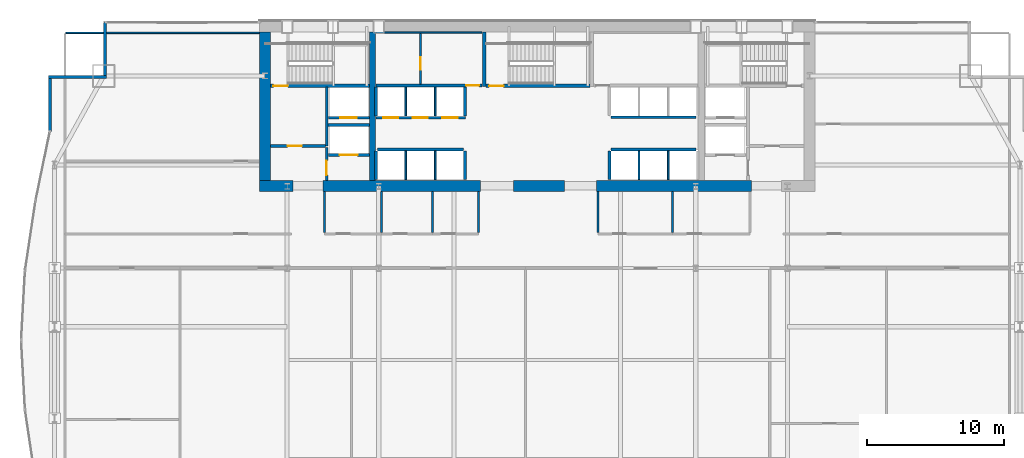
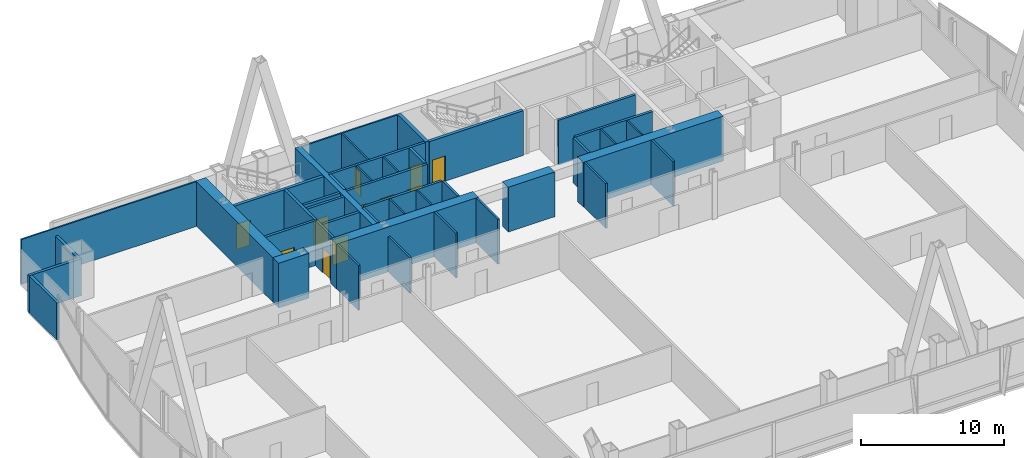
# One storey, part 32 of 36: 43 walls, 11 doors, 11 openings.
"""IFC4 building model written with IfcOpenShell, lengths in metres."""

from ifc_helpers import new_model, si_unit, direction, frame, frame_2d, origin, place, context, subcontext, project, spatial, rectangle, extrude, material, layer, layer_set, type_object, element, fill, save


model = new_model("IFC4")

# Units and contexts
model_context = context("Model", 3, precision=1e-05, world=origin(), true_north=direction((0.0, 1.0)))
body_context = subcontext(model_context, "Body", "Model", "MODEL_VIEW")
ifc_project = project(units=[si_unit("LENGTHUNIT", "METRE"), si_unit("AREAUNIT", "SQUARE_METRE"), si_unit("VOLUMEUNIT", "CUBIC_METRE"), si_unit("PLANEANGLEUNIT", "RADIAN"), si_unit("MASSUNIT", "GRAM", prefix="KILO")], contexts=[model_context])

# Site, building, storey
site_placement = place(None, origin())
site = spatial("IfcSite", under=ifc_project, at=site_placement, CompositionType="ELEMENT")
building_placement = place(site_placement, origin())
building = spatial("IfcBuilding", under=site, at=building_placement, Name="Khoronbel Lancet Exchange", CompositionType="ELEMENT")
storey_placement = place(building_placement, frame((0.0, 0.0, 49.800048828125)))
storey = spatial("IfcBuildingStorey", under=building, at=storey_placement, Name="L11", CompositionType="ELEMENT", Elevation=49.800048828125)

# Walls
ifc_material_1 = material(Name="Concrete C80/95", Category="concrete")
ifc_layer_1 = layer(ifc_material_1, 0.800048828125, Name="Concrete C80/95")
ifc_layer_set_1 = layer_set([ifc_layer_1], Name="Concrete C80/95")
wall_type_1 = type_object("IfcWallType", Name="WL-CW1", PredefinedType="SHEAR", material=ifc_layer_set_1)
wall_1_placement = place(storey_placement, frame((16.60009765625, 42.10009765625, 0.0), z_axis=(0.0, 0.0, 1.0), x_axis=(0.0, 1.0, 0.0)))
element("IfcWall", 1, at=wall_1_placement, inside=storey, type_object=wall_type_1, Name="Level L11 rear core west shear wall", PredefinedType="SHEAR", context=body_context, shape_type="SweptSolid", body=[
    extrude(rectangle(XDim=10.7998046875, YDim=0.800048828125, at=frame_2d((5.39990234375, 0.0))), origin(), (0.0, 0.0, 1.0), 3.820068359375),
])
wall_2_placement = place(storey_placement, frame((18.64990234375, 41.699951171875, 0.0), z_axis=(0.0, 0.0, 1.0), x_axis=(-1.0, 0.0, 0.0)))
element("IfcWall", 2, at=wall_2_placement, inside=storey, type_object=wall_type_1, Name="Level L11 rear core south shear wall pier P1", PredefinedType="SHEAR", context=body_context, shape_type="SweptSolid", body=[
    extrude(rectangle(XDim=2.449951171875, YDim=0.800048828125, at=frame_2d((1.22509765625, 0.0))), origin(), (0.0, 0.0, 1.0), 3.820068359375),
])
wall_3_placement = place(storey_placement, frame((32.300048828125, 41.699951171875, 0.0), z_axis=(0.0, 0.0, 1.0), x_axis=(-1.0, 0.0, 0.0)))
element("IfcWall", 3, at=wall_3_placement, inside=storey, type_object=wall_type_1, Name="Level L11 rear core south shear wall pier P2", PredefinedType="SHEAR", context=body_context, shape_type="SweptSolid", body=[
    extrude(rectangle(XDim=11.449951171875, YDim=0.800048828125, at=frame_2d((5.72509765625, 0.0))), origin(), (0.0, 0.0, 1.0), 3.820068359375),
])
wall_4_placement = place(storey_placement, frame((38.449951171875, 41.699951171875, 0.0), z_axis=(0.0, 0.0, 1.0), x_axis=(-1.0, 0.0, 0.0)))
element("IfcWall", 4, at=wall_4_placement, inside=storey, type_object=wall_type_1, Name="Level L11 rear core south shear wall pier P3", PredefinedType="SHEAR", context=body_context, shape_type="SweptSolid", body=[
    extrude(rectangle(XDim=3.75, YDim=0.800048828125, at=frame_2d((1.875, 0.0))), origin(), (0.0, 0.0, 1.0), 3.820068359375),
])
wall_5_placement = place(storey_placement, frame((52.050048828125, 41.699951171875, 0.0), z_axis=(0.0, 0.0, 1.0), x_axis=(-1.0, 0.0, 0.0)))
element("IfcWall", 5, at=wall_5_placement, inside=storey, type_object=wall_type_1, Name="Level L11 rear core south shear wall pier P4", PredefinedType="SHEAR", context=body_context, shape_type="SweptSolid", body=[
    extrude(rectangle(XDim=11.300048828125, YDim=0.800048828125, at=frame_2d((5.64990234375, 0.0))), origin(), (0.0, 0.0, 1.0), 3.820068359375),
])
ifc_material_2 = material(Name="Precast concrete C40/50", Category="concrete")
ifc_layer_2 = layer(ifc_material_2, 0.25, Name="Precast concrete C40/50")
ifc_layer_set_2 = layer_set([ifc_layer_2], Name="Precast concrete C40/50")
wall_type_2 = type_object("IfcWallType", Name="WL-EXT250", PredefinedType="SOLIDWALL", material=ifc_layer_set_2)
wall_6_placement = place(storey_placement, frame((0.93994140625, 45.6708984375, 0.0), z_axis=(0.0, 0.0, 1.0), x_axis=(0.0, 1.0, 0.0)))
element("IfcWall", 6, at=wall_6_placement, inside=storey, type_object=wall_type_2, Name="Level L11 notched-corner limestone pier 10", PredefinedType="SOLIDWALL", context=body_context, shape_type="SweptSolid", body=[
    extrude(rectangle(XDim=3.8291015625, YDim=0.219970703125, at=frame_2d((1.91455078125, 0.0))), origin(), (0.0, 0.0, 1.0), 3.159912109375),
])
wall_7_placement = place(storey_placement, frame((0.830078125, 49.610107421875, 0.0), z_axis=(0.0, 0.0, 1.0), x_axis=(1.0, 0.0, 0.0)))
element("IfcWall", 7, at=wall_7_placement, inside=storey, type_object=wall_type_2, Name="Level L11 notched-corner limestone pier 11", PredefinedType="SOLIDWALL", context=body_context, shape_type="SweptSolid", body=[
    extrude(rectangle(XDim=4.219970703125, YDim=0.219970703125, at=frame_2d((2.10986328125, 0.0))), origin(), (0.0, 0.0, 1.0), 3.159912109375),
])
wall_8_placement = place(storey_placement, frame((4.93994140625, 49.719970703125, 0.0), z_axis=(0.0, 0.0, 1.0), x_axis=(0.0, 1.0, 0.0)))
element("IfcWall", 8, at=wall_8_placement, inside=storey, type_object=wall_type_2, Name="Level L11 notched-corner limestone pier 12", PredefinedType="SOLIDWALL", context=body_context, shape_type="SweptSolid", body=[
    extrude(rectangle(XDim=3.909912109375, YDim=0.219970703125, at=frame_2d((1.955078125, 0.0))), origin(), (0.0, 0.0, 1.0), 3.159912109375),
])
ifc_material_3 = material(Name="Acoustic Metal-Stud & Mineral-Wool Gypsum Partition 120 mm", Category="gypsum")
ifc_layer_3 = layer(ifc_material_3, 0.1201171875, Name="Acoustic Metal-Stud & Mineral-Wool Gypsum Partition 120 mm")
ifc_layer_set_3 = layer_set([ifc_layer_3], Name="Acoustic Metal-Stud & Mineral-Wool Gypsum Partition 120 mm")
wall_type_3 = type_object("IfcWallType", Name="WL-PRT120", PredefinedType="PARTITIONING", material=ifc_layer_set_3)
wall_9_placement = place(storey_placement, frame((20.949951171875, 38.280029296875, 0.0), z_axis=(0.0, 0.0, 1.0), x_axis=(0.0, 1.0, 0.0)))
element("IfcWall", 9, at=wall_9_placement, inside=storey, type_object=wall_type_3, Name="Level L11 interior partition PW-WC-0", PredefinedType="PARTITIONING", context=body_context, shape_type="SweptSolid", body=[
    extrude(rectangle(XDim=3.02001953125, YDim=0.14990234375, at=frame_2d((1.510009765625, 0.0))), origin(), (0.0, 0.0, 1.0), 3.820068359375),
])
wall_10_placement = place(storey_placement, frame((25.10009765625, 38.280029296875, 0.0), z_axis=(0.0, 0.0, 1.0), x_axis=(0.0, 1.0, 0.0)))
element("IfcWall", 10, at=wall_10_placement, inside=storey, type_object=wall_type_3, Name="Level L11 interior partition PW-WC-1", PredefinedType="PARTITIONING", context=body_context, shape_type="SweptSolid", body=[
    extrude(rectangle(XDim=3.02001953125, YDim=0.14990234375, at=frame_2d((1.510009765625, 0.0))), origin(), (0.0, 0.0, 1.0), 3.010009765625),
])
for number, where, z_axis, x_axis, name in (
    (11, (28.800048828125, 38.280029296875, 0.0), (0.0, 0.0, 1.0), (0.0, 1.0, 0.0), "Level L11 interior partition PW-WC-2"),
    (12, (32.179931640625, 38.280029296875, 0.0), (0.0, 0.0, 1.0), (0.0, 1.0, 0.0), "Level L11 interior partition PW-WC-3"),
    (13, (40.8798828125, 38.280029296875, 0.0), (0.0, 0.0, 1.0), (0.0, 1.0, 0.0), "Level L11 interior partition PW-NP-0"),
    (14, (46.300048828125, 38.280029296875, 0.0), (0.0, 0.0, 1.0), (0.0, 1.0, 0.0), "Level L11 interior partition PW-NP-M"),
):
    element("IfcWall", number, at=place(storey_placement, frame(where, z_axis=z_axis, x_axis=x_axis)), inside=storey, type_object=wall_type_3, Name=name, PredefinedType="PARTITIONING", context=body_context, shape_type="SweptSolid", body=[
        extrude(rectangle(XDim=3.02001953125, YDim=0.14990234375, at=frame_2d((1.510009765625, 0.0))), origin(), (0.0, 0.0, 1.0), 3.820068359375),
    ])
wall_11_placement = place(storey_placement, frame((2.094970703125, 52.840087890625, 0.0), z_axis=(0.0, 0.0, 1.0), x_axis=(1.0, 0.0, 0.0)))
element("IfcWall", 15, at=wall_11_placement, inside=storey, type_object=wall_type_3, Name="Level L11 interior partition PW-LIN-NW", PredefinedType="PARTITIONING", context=body_context, shape_type="SweptSolid", body=[
    extrude(rectangle(XDim=14.10498046875, YDim=0.1201171875, at=frame_2d((7.052490234375, 0.0))), origin(), (0.0, 0.0, 1.0), 3.820068359375),
])
ifc_material_4 = material(Name="Fire-Rated Metal-Stud & Mineral-Wool Gypsum Partition 120 mm", Category="gypsum")
ifc_layer_4 = layer(ifc_material_4, 0.1201171875, Name="Fire-Rated Metal-Stud & Mineral-Wool Gypsum Partition 120 mm")
ifc_layer_set_4 = layer_set([ifc_layer_4], Name="Fire-Rated Metal-Stud & Mineral-Wool Gypsum Partition 120 mm")
wall_type_4 = type_object("IfcWallType", Name="WL-PRT120F", PredefinedType="PARTITIONING", material=ifc_layer_set_4)
for number, where, z_axis, x_axis, name in (
    (16, (26.860107421875, 46.800048828125, 0.0), (0.0, 0.0, 1.0), (0.0, 1.0, 0.0), "Level L11 interior partition CW-PL-D1"),
    (17, (29.02001953125, 46.800048828125, 0.0), (0.0, 0.0, 1.0), (0.0, 1.0, 0.0), "Level L11 interior partition CW-PL-D2"),
):
    element("IfcWall", number, at=place(storey_placement, frame(where, z_axis=z_axis, x_axis=x_axis)), inside=storey, type_object=wall_type_4, Name=name, PredefinedType="PARTITIONING", context=body_context, shape_type="SweptSolid", body=[
        extrude(rectangle(XDim=2.094970703125, YDim=0.1201171875, at=frame_2d((1.04736328125, 0.0))), origin(), (0.0, 0.0, 1.0), 3.820068359375),
    ])
for number, where, z_axis, x_axis, name in (
    (18, (26.860107421875, 42.14990234375, 0.0), (0.0, 0.0, 1.0), (0.0, 1.0, 0.0), "Level L11 interior partition CW-PM-D1"),
    (19, (29.02001953125, 42.14990234375, 0.0), (0.0, 0.0, 1.0), (0.0, 1.0, 0.0), "Level L11 interior partition CW-PM-D2"),
    (20, (43.860107421875, 42.14990234375, 0.0), (0.0, 0.0, 1.0), (0.0, 1.0, 0.0), "Level L11 interior partition CW-PX-D1"),
    (21, (46.0, 42.14990234375, 0.0), (0.0, 0.0, 1.0), (0.0, 1.0, 0.0), "Level L11 interior partition CW-PX-D2"),
):
    element("IfcWall", number, at=place(storey_placement, frame(where, z_axis=z_axis, x_axis=x_axis)), inside=storey, type_object=wall_type_4, Name=name, PredefinedType="PARTITIONING", context=body_context, shape_type="SweptSolid", body=[
        extrude(rectangle(XDim=2.09521484375, YDim=0.1201171875, at=frame_2d((1.047607421875, 0.0))), origin(), (0.0, 0.0, 1.0), 3.820068359375),
    ])
wall_12_placement = place(storey_placement, frame((24.699951171875, 52.860107421875, 0.0), z_axis=(0.0, 0.0, 1.0), x_axis=(1.0, 0.0, 0.0)))
element("IfcWall", 22, at=wall_12_placement, inside=storey, type_object=wall_type_4, Name="Level L11 interior partition CW-SUP-NW-N", PredefinedType="PARTITIONING", context=body_context, shape_type="SweptSolid", body=[
    extrude(rectangle(XDim=7.719970703125, YDim=0.1201171875, at=frame_2d((3.85986328125, 0.0))), origin(), (0.0, 0.0, 1.0), 3.820068359375),
])

# Wall, opening, door
wall_13_placement = place(storey_placement, frame((27.9423828125, 49.10498046875, 0.0), z_axis=(0.0, 0.0, 1.0), x_axis=(0.0, 1.0, 0.0)))
wall_13 = element("IfcWall", 23, at=wall_13_placement, inside=storey, type_object=wall_type_4, Name="Level L11 interior partition CW-SUP-NW-M", PredefinedType="PARTITIONING", context=body_context, shape_type="SweptSolid", body=[
    extrude(rectangle(XDim=3.68994140625, YDim=0.1201171875, at=frame_2d((1.844970703125, 0.0))), origin(), (0.0, 0.0, 1.0), 3.820068359375),
])
opening_1_placement = place(wall_13_placement, frame((1.050048828125, 0.0, 0.0)))
opening_1 = element("IfcOpeningElement", 24, at=opening_1_placement, cuts=wall_13, Name="Opening FD4", PredefinedType="OPENING", context=body_context, shape_type="SweptSolid", body=[
    extrude(rectangle(XDim=0.89990234375, YDim=2.050048828125, at=frame_2d((0.449951171875, 1.02490234375))), frame((0.0, 0.070068359375, 0.0), z_axis=(0.0, -1.0, 0.0), x_axis=(1.0, 0.0, 0.0)), (0.0, 0.0, 1.0), 0.14013671875),
])
ifc_material_5 = material(Name="Fire-Rated Steel Core Support Door Assembly", Category="steel")
door_type_1 = type_object("IfcDoorType", Name="DR-FD4", OperationType="NOTDEFINED", PredefinedType="DOOR", material=ifc_material_5)
door_1_placement = place(opening_1_placement, origin())
door_1 = element("IfcDoor", 25, at=door_1_placement, inside=storey, type_object=door_type_1, Name="Core NW inner support door L11-1", OperationType="SINGLE_SWING_RIGHT", OverallHeight=2.050048828125, OverallWidth=0.89990234375, PredefinedType="DOOR", context=body_context, shape_type="SweptSolid", body=[
    extrude(rectangle(XDim=0.89990234375, YDim=2.050048828125, at=frame_2d((0.449951171875, 1.02490234375))), frame((0.0, 0.02490234375, 0.0), z_axis=(0.0, -1.0, 0.0), x_axis=(1.0, 0.0, 0.0)), (0.0, 0.0, 1.0), 0.050048828125),
])
fill(opening_1, door_1)

ifc_material_6 = material(Name="Autoclaved Aerated Concrete Blockwork 200 mm", Category="masonry")
ifc_layer_5 = layer(ifc_material_6, 0.199951171875, Name="Autoclaved Aerated Concrete Blockwork 200 mm")
ifc_layer_set_5 = layer_set([ifc_layer_5], Name="Autoclaved Aerated Concrete Blockwork 200 mm")
wall_type_5 = type_object("IfcWallType", Name="WL-PRT200", PredefinedType="PARTITIONING", material=ifc_layer_set_5)
wall_14_placement = place(storey_placement, frame((24.2099609375, 43.949951171875, 0.0), z_axis=(0.0, 0.0, 1.0), x_axis=(-1.0, 0.0, 0.0)))
wall_14 = element("IfcWall", 26, at=wall_14_placement, inside=storey, type_object=wall_type_5, Name="Level L11 elevator hoistway landing front wall SVLW", PredefinedType="PARTITIONING", context=body_context, shape_type="SweptSolid", body=[
    extrude(rectangle(XDim=2.969970703125, YDim=0.199951171875, at=frame_2d((1.48486328125, 0.0))), origin(), (0.0, 0.0, 1.0), 3.820068359375),
])
opening_2_placement = place(wall_14_placement, frame((0.860107421875, 0.0, 0.0)))
opening_2 = element("IfcOpeningElement", 27, at=opening_2_placement, cuts=wall_14, Name="Opening LD-SVL1", PredefinedType="OPENING", context=body_context, shape_type="SweptSolid", body=[
    extrude(rectangle(XDim=1.300048828125, YDim=2.179931640625, at=frame_2d((0.64990234375, 1.08984375))), frame((0.0, 0.10986328125, 0.0), z_axis=(0.0, -1.0, 0.0), x_axis=(1.0, 0.0, 0.0)), (0.0, 0.0, 1.0), 0.219970703125),
])
ifc_material_7 = material(Name="Heavy-Duty Bi-Parting Goods Lift Landing Door", Category="steel")
door_type_2 = type_object("IfcDoorType", Name="DR-LD-SVL", OperationType="NOTDEFINED", PredefinedType="DOOR", material=ifc_material_7)
door_2_placement = place(opening_2_placement, origin())
door_2 = element("IfcDoor", 28, at=door_2_placement, inside=storey, type_object=door_type_2, Name="Elevator landing sliding door LD-SVL1 L11", OperationType="SLIDING_TO_LEFT", OverallHeight=2.179931640625, OverallWidth=1.300048828125, PredefinedType="DOOR", context=body_context, shape_type="SweptSolid", body=[
    extrude(rectangle(XDim=1.300048828125, YDim=2.179931640625, at=frame_2d((0.64990234375, 1.08984375))), frame((0.0, 0.02490234375, 0.0), z_axis=(0.0, -1.0, 0.0), x_axis=(1.0, 0.0, 0.0)), (0.0, 0.0, 1.0), 0.050048828125),
])
fill(opening_2, door_2)

wall_15_placement = place(storey_placement, frame((24.2099609375, 46.64990234375, 0.0), z_axis=(0.0, 0.0, 1.0), x_axis=(-1.0, 0.0, 0.0)))
wall_15 = element("IfcWall", 29, at=wall_15_placement, inside=storey, type_object=wall_type_5, Name="Level L11 elevator hoistway landing front wall FFLW", PredefinedType="PARTITIONING", context=body_context, shape_type="SweptSolid", body=[
    extrude(rectangle(XDim=2.969970703125, YDim=0.199951171875, at=frame_2d((1.48486328125, 0.0))), origin(), (0.0, 0.0, 1.0), 3.820068359375),
])
opening_3_placement = place(wall_15_placement, frame((0.909912109375, 0.0, 0.0)))
opening_3 = element("IfcOpeningElement", 30, at=opening_3_placement, cuts=wall_15, Name="Opening LD-FFL1", PredefinedType="OPENING", context=body_context, shape_type="SweptSolid", body=[
    extrude(rectangle(XDim=1.199951171875, YDim=2.179931640625, at=frame_2d((0.60009765625, 1.08984375))), frame((0.0, 0.10986328125, 0.0), z_axis=(0.0, -1.0, 0.0), x_axis=(1.0, 0.0, 0.0)), (0.0, 0.0, 1.0), 0.219970703125),
])
ifc_material_8 = material(Name="Fire-Rated Stainless Bi-Parting Firefighting Lift Door", Category="steel")
door_type_3 = type_object("IfcDoorType", Name="DR-LD-FFL", OperationType="NOTDEFINED", PredefinedType="DOOR", material=ifc_material_8)
door_3_placement = place(opening_3_placement, origin())
door_3 = element("IfcDoor", 31, at=door_3_placement, inside=storey, type_object=door_type_3, Name="Elevator landing sliding door LD-FFL1 L11", OperationType="SLIDING_TO_LEFT", OverallHeight=2.179931640625, OverallWidth=1.199951171875, PredefinedType="DOOR", context=body_context, shape_type="SweptSolid", body=[
    extrude(rectangle(XDim=1.199951171875, YDim=2.179931640625, at=frame_2d((0.60009765625, 1.08984375))), frame((0.0, 0.02490234375, 0.0), z_axis=(0.0, -1.0, 0.0), x_axis=(1.0, 0.0, 0.0)), (0.0, 0.0, 1.0), 0.050048828125),
])
fill(opening_3, door_3)

# Wall, openings, doors
wall_16_placement = place(storey_placement, frame((31.219970703125, 46.64990234375, 0.0), z_axis=(0.0, 0.0, 1.0), x_axis=(-1.0, 0.0, 0.0)))
wall_16 = element("IfcWall", 32, at=wall_16_placement, inside=storey, type_object=wall_type_5, Name="Level L11 elevator hoistway landing front wall PLW", PredefinedType="PARTITIONING", context=body_context, shape_type="SweptSolid", body=[
    extrude(rectangle(XDim=6.530029296875, YDim=0.199951171875, at=frame_2d((3.26513671875, 0.0))), origin(), (0.0, 0.0, 1.0), 3.820068359375),
])
opening_4_placement = place(wall_16_placement, frame((4.89990234375, 0.0, 0.0)))
opening_4 = element("IfcOpeningElement", 33, at=opening_4_placement, cuts=wall_16, Name="Opening LD-PL1", PredefinedType="OPENING", context=body_context, shape_type="SweptSolid", body=[
    extrude(rectangle(XDim=1.10009765625, YDim=2.179931640625, at=frame_2d((0.550048828125, 1.08984375))), frame((0.0, 0.10986328125, 0.0), z_axis=(0.0, -1.0, 0.0), x_axis=(1.0, 0.0, 0.0)), (0.0, 0.0, 1.0), 0.219970703125),
])
opening_5_placement = place(wall_16_placement, frame((2.739990234375, 0.0, 0.0)))
opening_5 = element("IfcOpeningElement", 34, at=opening_5_placement, cuts=wall_16, Name="Opening LD-PL2", PredefinedType="OPENING", context=body_context, shape_type="SweptSolid", body=[
    extrude(rectangle(XDim=1.10009765625, YDim=2.179931640625, at=frame_2d((0.550048828125, 1.08984375))), frame((0.0, 0.10986328125, 0.0), z_axis=(0.0, -1.0, 0.0), x_axis=(1.0, 0.0, 0.0)), (0.0, 0.0, 1.0), 0.219970703125),
])
opening_6_placement = place(wall_16_placement, frame((0.580078125, 0.0, 0.0)))
opening_6 = element("IfcOpeningElement", 35, at=opening_6_placement, cuts=wall_16, Name="Opening LD-PL3", PredefinedType="OPENING", context=body_context, shape_type="SweptSolid", body=[
    extrude(rectangle(XDim=1.10009765625, YDim=2.179931640625, at=frame_2d((0.550048828125, 1.08984375))), frame((0.0, 0.10986328125, 0.0), z_axis=(0.0, -1.0, 0.0), x_axis=(1.0, 0.0, 0.0)), (0.0, 0.0, 1.0), 0.219970703125),
])
ifc_material_9 = material(Name="Brushed Bronze Bi-Parting Elevator Landing Door", Category="steel")
door_type_4 = type_object("IfcDoorType", Name="DR-LD-PAX", OperationType="NOTDEFINED", PredefinedType="DOOR", material=ifc_material_9)
door_4_placement = place(opening_4_placement, origin())
door_4 = element("IfcDoor", 36, at=door_4_placement, inside=storey, type_object=door_type_4, Name="Elevator landing sliding door LD-PL1 L11", OperationType="SLIDING_TO_LEFT", OverallHeight=2.179931640625, OverallWidth=1.10009765625, PredefinedType="DOOR", context=body_context, shape_type="SweptSolid", body=[
    extrude(rectangle(XDim=1.10009765625, YDim=2.179931640625, at=frame_2d((0.550048828125, 1.08984375))), frame((0.0, 0.02490234375, 0.0), z_axis=(0.0, -1.0, 0.0), x_axis=(1.0, 0.0, 0.0)), (0.0, 0.0, 1.0), 0.050048828125),
])
fill(opening_4, door_4)
door_5_placement = place(opening_5_placement, origin())
door_5 = element("IfcDoor", 37, at=door_5_placement, inside=storey, type_object=door_type_4, Name="Elevator landing sliding door LD-PL2 L11", OperationType="SLIDING_TO_LEFT", OverallHeight=2.179931640625, OverallWidth=1.10009765625, PredefinedType="DOOR", context=body_context, shape_type="SweptSolid", body=[
    extrude(rectangle(XDim=1.10009765625, YDim=2.179931640625, at=frame_2d((0.550048828125, 1.08984375))), frame((0.0, 0.02490234375, 0.0), z_axis=(0.0, -1.0, 0.0), x_axis=(1.0, 0.0, 0.0)), (0.0, 0.0, 1.0), 0.050048828125),
])
fill(opening_5, door_5)
door_6_placement = place(opening_6_placement, origin())
door_6 = element("IfcDoor", 38, at=door_6_placement, inside=storey, type_object=door_type_4, Name="Elevator landing sliding door LD-PL3 L11", OperationType="SLIDING_TO_LEFT", OverallHeight=2.179931640625, OverallWidth=1.10009765625, PredefinedType="DOOR", context=body_context, shape_type="SweptSolid", body=[
    extrude(rectangle(XDim=1.10009765625, YDim=2.179931640625, at=frame_2d((0.550048828125, 1.08984375))), frame((0.0, 0.02490234375, 0.0), z_axis=(0.0, -1.0, 0.0), x_axis=(1.0, 0.0, 0.0)), (0.0, 0.0, 1.0), 0.050048828125),
])
fill(opening_6, door_6)

# Wall
wall_17_placement = place(storey_placement, frame((21.10009765625, 44.60009765625, 0.0), z_axis=(0.0, 0.0, 1.0), x_axis=(0.0, 1.0, 0.0)))
element("IfcWall", 39, at=wall_17_placement, inside=storey, type_object=wall_type_5, Name="Level L11 interior partition CW-FFLW-E", PredefinedType="PARTITIONING", context=body_context, shape_type="SweptSolid", body=[
    extrude(rectangle(XDim=4.2998046875, YDim=0.199951171875, at=frame_2d((2.14990234375, 0.0))), origin(), (0.0, 0.0, 1.0), 3.820068359375),
])

# Wall, opening, door
wall_18_placement = place(storey_placement, frame((17.0, 44.60009765625, 0.0), z_axis=(0.0, 0.0, 1.0), x_axis=(1.0, 0.0, 0.0)))
wall_18 = element("IfcWall", 40, at=wall_18_placement, inside=storey, type_object=wall_type_5, Name="Level L11 interior partition CW-FFLW-S", PredefinedType="PARTITIONING", context=body_context, shape_type="SweptSolid", body=[
    extrude(rectangle(XDim=4.0, YDim=0.199951171875, at=frame_2d((2.0, 0.0))), origin(), (0.0, 0.0, 1.0), 3.820068359375),
])
opening_7_placement = place(wall_18_placement, frame((1.25, 0.0, 0.0)))
opening_7 = element("IfcOpeningElement", 41, at=opening_7_placement, cuts=wall_18, Name="Opening FD1", PredefinedType="OPENING", context=body_context, shape_type="SweptSolid", body=[
    extrude(rectangle(XDim=1.050048828125, YDim=2.14990234375, at=frame_2d((0.52490234375, 1.074951171875))), frame((0.0, 0.10986328125, 0.0), z_axis=(0.0, -1.0, 0.0), x_axis=(1.0, 0.0, 0.0)), (0.0, 0.0, 1.0), 0.219970703125),
])
ifc_material_10 = material(Name="Fire-Rated Painted Steel Door Assembly", Category="steel")
door_type_5 = type_object("IfcDoorType", Name="DR-FD1", OperationType="NOTDEFINED", PredefinedType="DOOR", material=ifc_material_10)
door_7_placement = place(opening_7_placement, origin())
door_7 = element("IfcDoor", 42, at=door_7_placement, inside=storey, type_object=door_type_5, Name="West firefighting lobby FD90S door L11-1", OperationType="SINGLE_SWING_LEFT", OverallHeight=2.14990234375, OverallWidth=1.050048828125, PredefinedType="DOOR", context=body_context, shape_type="SweptSolid", body=[
    extrude(rectangle(XDim=1.050048828125, YDim=2.14990234375, at=frame_2d((0.52490234375, 1.074951171875))), frame((0.0, 0.02490234375, 0.0), z_axis=(0.0, -1.0, 0.0), x_axis=(1.0, 0.0, 0.0)), (0.0, 0.0, 1.0), 0.050048828125),
])
fill(opening_7, door_7)

# Wall
wall_19_placement = place(storey_placement, frame((21.199951171875, 46.1201171875, 0.0), z_axis=(0.0, 0.0, 1.0), x_axis=(1.0, 0.0, 0.0)))
element("IfcWall", 43, at=wall_19_placement, inside=storey, type_object=wall_type_5, Name="Level L11 interior partition CW-FFL1-S", PredefinedType="PARTITIONING", context=body_context, shape_type="SweptSolid", body=[
    extrude(rectangle(XDim=3.02001953125, YDim=0.199951171875, at=frame_2d((1.510009765625, 0.0))), origin(), (0.0, 0.0, 1.0), 3.820068359375),
])

# Wall, opening, door
wall_20_placement = place(storey_placement, frame((21.10009765625, 42.10009765625, 0.0), z_axis=(0.0, 0.0, 1.0), x_axis=(0.0, 1.0, 0.0)))
wall_20 = element("IfcWall", 44, at=wall_20_placement, inside=storey, type_object=wall_type_5, Name="Level L11 interior partition CW-SVLW-W", PredefinedType="PARTITIONING", context=body_context, shape_type="SweptSolid", body=[
    extrude(rectangle(XDim=2.39501953125, YDim=0.199951171875, at=frame_2d((1.197509765625, 0.0))), origin(), (0.0, 0.0, 1.0), 3.820068359375),
])
opening_8_placement = place(wall_20_placement, frame((0.3798828125, 0.0, 0.0)))
opening_8 = element("IfcOpeningElement", 45, at=opening_8_placement, cuts=wall_20, Name="Opening FD1", PredefinedType="OPENING", context=body_context, shape_type="SweptSolid", body=[
    extrude(rectangle(XDim=1.050048828125, YDim=2.14990234375, at=frame_2d((0.52490234375, 1.074951171875))), frame((0.0, 0.10986328125, 0.0), z_axis=(0.0, -1.0, 0.0), x_axis=(1.0, 0.0, 0.0)), (0.0, 0.0, 1.0), 0.219970703125),
])
door_8_placement = place(opening_8_placement, origin())
door_8 = element("IfcDoor", 46, at=door_8_placement, inside=storey, type_object=door_type_5, Name="West service lift lobby door L11-1", OperationType="SINGLE_SWING_RIGHT", OverallHeight=2.14990234375, OverallWidth=1.050048828125, PredefinedType="DOOR", context=body_context, shape_type="SweptSolid", body=[
    extrude(rectangle(XDim=1.050048828125, YDim=2.14990234375, at=frame_2d((0.52490234375, 1.074951171875))), frame((0.0, 0.02490234375, 0.0), z_axis=(0.0, -1.0, 0.0), x_axis=(1.0, 0.0, 0.0)), (0.0, 0.0, 1.0), 0.050048828125),
])
fill(opening_8, door_8)

# Walls
for number, where, z_axis, x_axis, name in (
    (47, (24.699951171875, 46.800048828125, 0.0), (0.0, 0.0, 1.0), (0.0, 1.0, 0.0), "Level L11 interior partition CW-PL-W"),
    (48, (31.179931640625, 46.800048828125, 0.0), (0.0, 0.0, 1.0), (0.0, 1.0, 0.0), "Level L11 interior partition CW-PL-E"),
):
    element("IfcWall", number, at=place(storey_placement, frame(where, z_axis=z_axis, x_axis=x_axis)), inside=storey, type_object=wall_type_5, Name=name, PredefinedType="PARTITIONING", context=body_context, shape_type="SweptSolid", body=[
        extrude(rectangle(XDim=2.094970703125, YDim=0.199951171875, at=frame_2d((1.04736328125, 0.0))), origin(), (0.0, 0.0, 1.0), 3.820068359375),
    ])
wall_21_placement = place(storey_placement, frame((24.804931640625, 44.35009765625, 0.0), z_axis=(0.0, 0.0, 1.0), x_axis=(1.0, 0.0, 0.0)))
element("IfcWall", 49, at=wall_21_placement, inside=storey, type_object=wall_type_5, Name="Level L11 interior partition CW-PM-EXP", PredefinedType="PARTITIONING", context=body_context, shape_type="SweptSolid", body=[
    extrude(rectangle(XDim=6.27001953125, YDim=0.199951171875, at=frame_2d((3.135009765625, 0.0))), origin(), (0.0, 0.0, 1.0), 3.820068359375),
])
for number, where, z_axis, x_axis, name in (
    (50, (24.699951171875, 42.14990234375, 0.0), (0.0, 0.0, 1.0), (0.0, 1.0, 0.0), "Level L11 interior partition CW-PM-W"),
    (51, (31.179931640625, 42.14990234375, 0.0), (0.0, 0.0, 1.0), (0.0, 1.0, 0.0), "Level L11 interior partition CW-PM-E"),
):
    element("IfcWall", number, at=place(storey_placement, frame(where, z_axis=z_axis, x_axis=x_axis)), inside=storey, type_object=wall_type_5, Name=name, PredefinedType="PARTITIONING", context=body_context, shape_type="SweptSolid", body=[
        extrude(rectangle(XDim=2.09521484375, YDim=0.199951171875, at=frame_2d((1.047607421875, 0.0))), origin(), (0.0, 0.0, 1.0), 3.820068359375),
    ])
for number, where, z_axis, x_axis, name in (
    (52, (41.824951171875, 46.699951171875, 0.0), (0.0, 0.0, 1.0), (1.0, 0.0, 0.0), "Level L11 interior partition CW-PH-EXP"),
    (53, (41.824951171875, 44.35009765625, 0.0), (0.0, 0.0, 1.0), (1.0, 0.0, 0.0), "Level L11 interior partition CW-PX-EXP"),
):
    element("IfcWall", number, at=place(storey_placement, frame(where, z_axis=z_axis, x_axis=x_axis)), inside=storey, type_object=wall_type_5, Name=name, PredefinedType="PARTITIONING", context=body_context, shape_type="SweptSolid", body=[
        extrude(rectangle(XDim=6.2099609375, YDim=0.199951171875, at=frame_2d((3.10498046875, 0.0))), origin(), (0.0, 0.0, 1.0), 3.820068359375),
    ])
wall_22_placement = place(storey_placement, frame((41.719970703125, 42.14990234375, 0.0), z_axis=(0.0, 0.0, 1.0), x_axis=(0.0, 1.0, 0.0)))
element("IfcWall", 54, at=wall_22_placement, inside=storey, type_object=wall_type_5, Name="Level L11 interior partition CW-PX-W", PredefinedType="PARTITIONING", context=body_context, shape_type="SweptSolid", body=[
    extrude(rectangle(XDim=2.09521484375, YDim=0.199951171875, at=frame_2d((1.047607421875, 0.0))), origin(), (0.0, 0.0, 1.0), 3.820068359375),
])

# Wall, opening, door
wall_23_placement = place(storey_placement, frame((24.699951171875, 49.0, 0.0), z_axis=(0.0, 0.0, 1.0), x_axis=(1.0, 0.0, 0.0)))
wall_23 = element("IfcWall", 55, at=wall_23_placement, inside=storey, type_object=wall_type_5, Name="Level L11 interior partition CW-SUP-NW-S", PredefinedType="PARTITIONING", context=body_context, shape_type="SweptSolid", body=[
    extrude(rectangle(XDim=7.719970703125, YDim=0.199951171875, at=frame_2d((3.85986328125, 0.0))), origin(), (0.0, 0.0, 1.0), 3.820068359375),
])
opening_9_placement = place(wall_23_placement, frame((6.56005859375, 0.0, 0.0)))
opening_9 = element("IfcOpeningElement", 56, at=opening_9_placement, cuts=wall_23, Name="Opening FD3", PredefinedType="OPENING", context=body_context, shape_type="SweptSolid", body=[
    extrude(rectangle(XDim=0.949951171875, YDim=2.10009765625, at=frame_2d((0.47509765625, 1.050048828125))), frame((0.0, 0.10986328125, 0.0), z_axis=(0.0, -1.0, 0.0), x_axis=(1.0, 0.0, 0.0)), (0.0, 0.0, 1.0), 0.219970703125),
])
ifc_material_11 = material(Name="Fire-Rated Steel Plant & Riser Door Assembly", Category="steel")
door_type_6 = type_object("IfcDoorType", Name="DR-FD3", OperationType="NOTDEFINED", PredefinedType="DOOR", material=ifc_material_11)
door_9_placement = place(opening_9_placement, origin())
door_9 = element("IfcDoor", 57, at=door_9_placement, inside=storey, type_object=door_type_6, Name="Core NW support room door L11-1", OperationType="SINGLE_SWING_LEFT", OverallHeight=2.10009765625, OverallWidth=0.949951171875, PredefinedType="DOOR", context=body_context, shape_type="SweptSolid", body=[
    extrude(rectangle(XDim=0.949951171875, YDim=2.10009765625, at=frame_2d((0.47509765625, 1.050048828125))), frame((0.0, 0.02490234375, 0.0), z_axis=(0.0, -1.0, 0.0), x_axis=(1.0, 0.0, 0.0)), (0.0, 0.0, 1.0), 0.050048828125),
])
fill(opening_9, door_9)

# Walls
ifc_layer_6 = layer(ifc_material_1, 0.449951171875, Name="Concrete C80/95")
ifc_layer_set_6 = layer_set([ifc_layer_6], Name="Concrete C80/95")
wall_type_6 = type_object("IfcWallType", Name="WL-SW1", PredefinedType="SHEAR", material=ifc_layer_set_6)
wall_24_placement = place(storey_placement, frame((24.449951171875, 42.10009765625, 0.0), z_axis=(0.0, 0.0, 1.0), x_axis=(0.0, 1.0, 0.0)))
element("IfcWall", 58, at=wall_24_placement, inside=storey, type_object=wall_type_6, Name="Level L11 rear core internal spine shear wall IW", PredefinedType="SHEAR", context=body_context, shape_type="SweptSolid", body=[
    extrude(rectangle(XDim=10.7998046875, YDim=0.449951171875, at=frame_2d((5.39990234375, 0.0))), origin(), (0.0, 0.0, 1.0), 3.820068359375),
])
ifc_material_12 = material(Name="Concrete C60/75", Category="concrete")
ifc_layer_7 = layer(ifc_material_12, 0.260009765625, Name="Concrete C60/75")
ifc_layer_set_7 = layer_set([ifc_layer_7], Name="Concrete C60/75")
wall_type_7 = type_object("IfcWallType", Name="WL-SW3", PredefinedType="SHEAR", material=ifc_layer_set_7)
wall_25_placement = place(storey_placement, frame((32.580078125, 48.949951171875, 0.0), z_axis=(0.0, 0.0, 1.0), x_axis=(0.0, 1.0, 0.0)))
element("IfcWall", 59, at=wall_25_placement, inside=storey, type_object=wall_type_7, Name="Level L11 central stairwell structural shear wall ST3W", PredefinedType="SHEAR", context=body_context, shape_type="SweptSolid", body=[
    extrude(rectangle(XDim=3.949951171875, YDim=0.260009765625, at=frame_2d((1.97509765625, 0.0))), origin(), (0.0, 0.0, 1.0), 3.820068359375),
])

# Wall, opening, door
wall_26_placement = place(storey_placement, frame((17.0, 48.97998046875, 0.0), z_axis=(0.0, 0.0, 1.0), x_axis=(1.0, 0.0, 0.0)))
wall_26 = element("IfcWall", 60, at=wall_26_placement, inside=storey, type_object=wall_type_7, Name="Level L11 west stairwell structural south wall", PredefinedType="SHEAR", context=body_context, shape_type="SweptSolid", body=[
    extrude(rectangle(XDim=7.219970703125, YDim=0.239990234375, at=frame_2d((3.60986328125, 0.0))), origin(), (0.0, 0.0, 1.0), 3.820068359375),
])
opening_10_placement = place(wall_26_placement, frame((0.219970703125, 0.0, 0.0)))
opening_10 = element("IfcOpeningElement", 61, at=opening_10_placement, cuts=wall_26, Name="Opening SD1", PredefinedType="OPENING", context=body_context, shape_type="SweptSolid", body=[
    extrude(rectangle(XDim=1.050048828125, YDim=2.14990234375, at=frame_2d((0.52490234375, 1.074951171875))), frame((0.0, 0.1298828125, 0.0), z_axis=(0.0, -1.0, 0.0), x_axis=(1.0, 0.0, 0.0)), (0.0, 0.0, 1.0), 0.260009765625),
])
ifc_material_13 = material(Name="Fire-Rated Steel Stairwell Door Assembly", Category="steel")
door_type_7 = type_object("IfcDoorType", Name="DR-SD1", OperationType="NOTDEFINED", PredefinedType="DOOR", material=ifc_material_13)
door_10_placement = place(opening_10_placement, origin())
door_10 = element("IfcDoor", 62, at=door_10_placement, inside=storey, type_object=door_type_7, Name="Protected exit stair ST1 door L11", OperationType="SINGLE_SWING_LEFT", OverallHeight=2.14990234375, OverallWidth=1.050048828125, PredefinedType="DOOR", context=body_context, shape_type="SweptSolid", body=[
    extrude(rectangle(XDim=1.050048828125, YDim=2.14990234375, at=frame_2d((0.52490234375, 1.074951171875))), frame((0.0, 0.02490234375, 0.0), z_axis=(0.0, -1.0, 0.0), x_axis=(1.0, 0.0, 0.0)), (0.0, 0.0, 1.0), 0.050048828125),
])
fill(opening_10, door_10)

wall_27_placement = place(storey_placement, frame((32.719970703125, 48.97998046875, 0.0), z_axis=(0.0, 0.0, 1.0), x_axis=(1.0, 0.0, 0.0)))
wall_27 = element("IfcWall", 63, at=wall_27_placement, inside=storey, type_object=wall_type_7, Name="Level L11 central stairwell structural south wall", PredefinedType="SHEAR", context=body_context, shape_type="SweptSolid", body=[
    extrude(rectangle(XDim=7.56005859375, YDim=0.239990234375, at=frame_2d((3.780029296875, 0.0))), origin(), (0.0, 0.0, 1.0), 3.820068359375),
])
opening_11_placement = place(wall_27_placement, frame((0.219970703125, 0.0, 0.0)))
opening_11 = element("IfcOpeningElement", 64, at=opening_11_placement, cuts=wall_27, Name="Opening SD1", PredefinedType="OPENING", context=body_context, shape_type="SweptSolid", body=[
    extrude(rectangle(XDim=1.050048828125, YDim=2.14990234375, at=frame_2d((0.52490234375, 1.074951171875))), frame((0.0, 0.1298828125, 0.0), z_axis=(0.0, -1.0, 0.0), x_axis=(1.0, 0.0, 0.0)), (0.0, 0.0, 1.0), 0.260009765625),
])
door_11_placement = place(opening_11_placement, origin())
door_11 = element("IfcDoor", 65, at=door_11_placement, inside=storey, type_object=door_type_7, Name="Protected exit stair ST3 door L11", OperationType="SINGLE_SWING_LEFT", OverallHeight=2.14990234375, OverallWidth=1.050048828125, PredefinedType="DOOR", context=body_context, shape_type="SweptSolid", body=[
    extrude(rectangle(XDim=1.050048828125, YDim=2.14990234375, at=frame_2d((0.52490234375, 1.074951171875))), frame((0.0, 0.02490234375, 0.0), z_axis=(0.0, -1.0, 0.0), x_axis=(1.0, 0.0, 0.0)), (0.0, 0.0, 1.0), 0.050048828125),
])
fill(opening_11, door_11)

save(model, "model.ifc")
